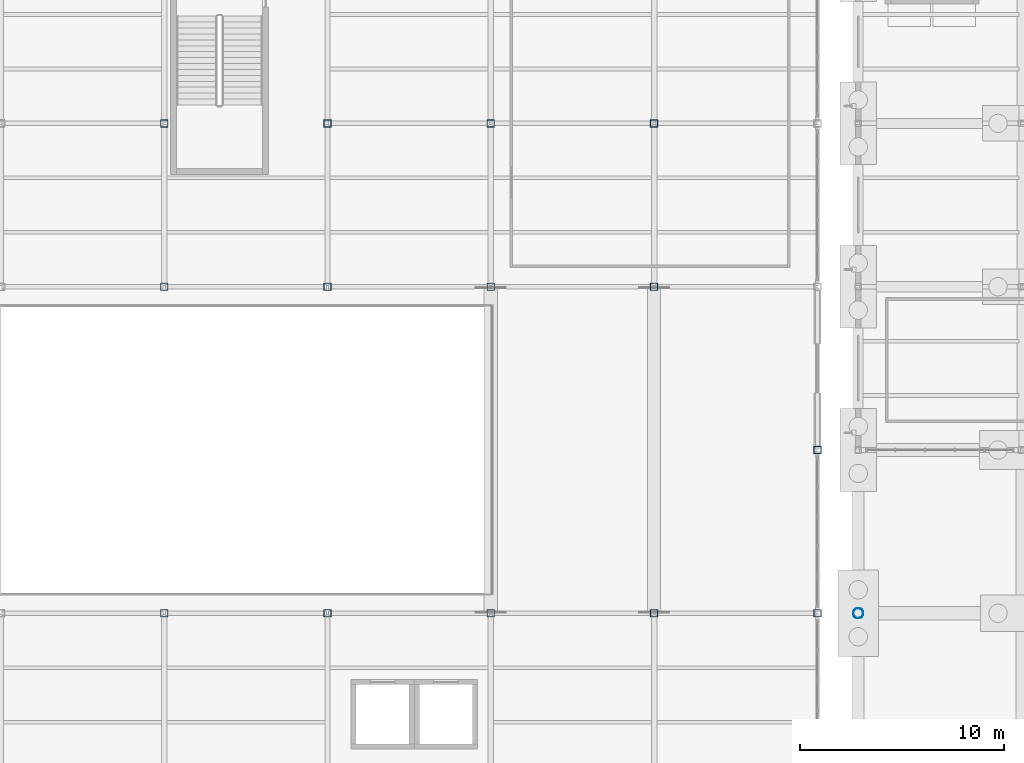
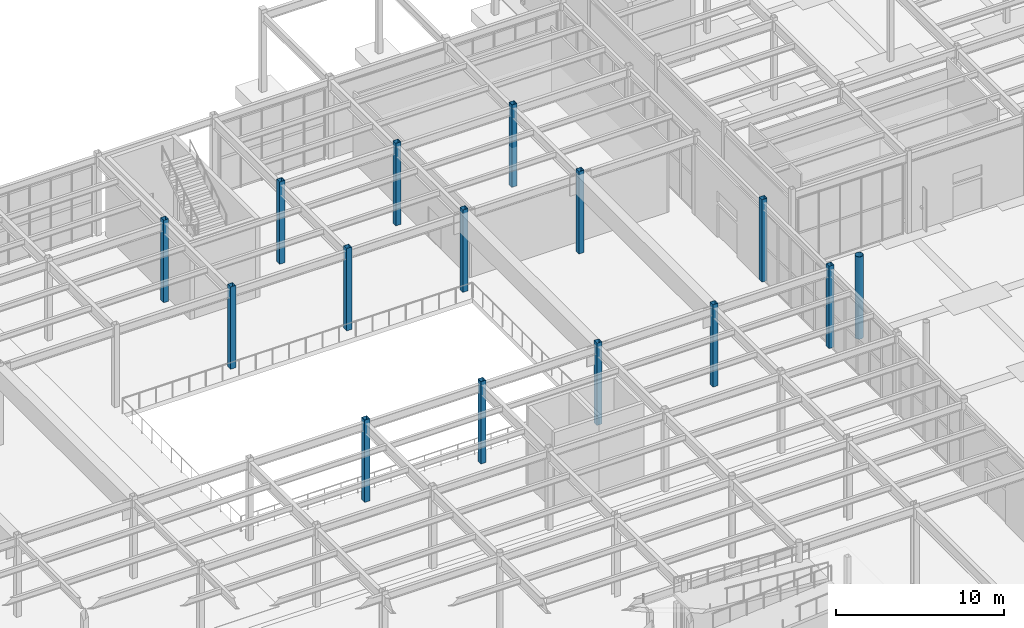
# One storey, part 17 of 82: 15 columns.
"""IFC4 building model written with IfcOpenShell, lengths in metres."""

from ifc_helpers import new_model, si_unit, direction, frame, origin, origin_2d, place, context, subcontext, project, spatial, hollow_rectangle, hollow_circle, extrude, material, material_profile, profile_set, type_object, element, save


model = new_model("IFC4")

# Units and contexts
model_context = context("Model", 3, precision=1e-05, world=origin(), true_north=direction((0.0, 1.0)))
body_context = subcontext(model_context, "Body", "Model", "MODEL_VIEW")
ifc_project = project(units=[si_unit("LENGTHUNIT", "METRE"), si_unit("AREAUNIT", "SQUARE_METRE"), si_unit("VOLUMEUNIT", "CUBIC_METRE"), si_unit("PLANEANGLEUNIT", "RADIAN"), si_unit("MASSUNIT", "GRAM", prefix="KILO")], contexts=[model_context])

# Site, building, storey
site_placement = place(None, origin())
site = spatial("IfcSite", under=ifc_project, at=site_placement, CompositionType="ELEMENT")
building_placement = place(site_placement, origin())
building = spatial("IfcBuilding", under=site, at=building_placement, Name="Drelvath Fold Interchange", CompositionType="ELEMENT")
storey_placement = place(building_placement, origin())
storey = spatial("IfcBuildingStorey", under=building, at=storey_placement, Name="L00", CompositionType="ELEMENT", Elevation=0.0)

# Columns
ifc_material = material(Name="Steel ASTM A500 Grade C", Category="steel")
ifc_material_profile_1 = material_profile(ifc_material, hollow_circle(Radius=0.25390625, WallThickness=0.014892578125, at=origin_2d()), Name="HSS20.000X0.625")
ifc_profile_set_1 = profile_set([ifc_material_profile_1], Name="Steel ASTM A500 Grade C")
column_type_1 = type_object("IfcColumnType", Name="COL-CFT508", PredefinedType="COLUMN", material=ifc_profile_set_1)
column_placement = place(storey_placement, frame((102.0, 67.0, 0.0), z_axis=(0.0, 0.0, 1.0), x_axis=(1.0, 0.0, 0.0)))
element("IfcColumn", 1, at=column_placement, inside=storey, type_object=column_type_1, Name="L00 column (102,67)", PredefinedType="COLUMN", context=body_context, shape_type="SweptSolid", body=[
    extrude(hollow_circle(Radius=0.25390625, WallThickness=0.014892578125, at=origin_2d()), origin(), (0.0, 0.0, 1.0), 6.0),
])
ifc_material_profile_2 = material_profile(ifc_material, hollow_rectangle(XDim=0.35595703125, YDim=0.35595703125, WallThickness=0.014892578125, at=origin_2d()), Name="HSS14X14X5/8")
ifc_profile_set_2 = profile_set([ifc_material_profile_2], Name="Steel ASTM A500 Grade C")
column_type_2 = type_object("IfcColumnType", Name="COL-HSS356", PredefinedType="COLUMN", material=ifc_profile_set_2)
for number, where, z_axis, x_axis, name in (
    (2, (68.0, 67.0, 0.0), (0.0, 0.0, 1.0), (1.0, 0.0, 0.0), "L00 column (68,67)"),
    (3, (68.0, 83.0, 0.0), (0.0, 0.0, 1.0), (1.0, 0.0, 0.0), "L00 column (68,83)"),
    (4, (68.0, 91.0, 0.0), (0.0, 0.0, 1.0), (1.0, 0.0, 0.0), "L00 column (68,91)"),
    (5, (76.0, 67.0, 0.0), (0.0, 0.0, 1.0), (1.0, 0.0, 0.0), "L00 column (76,67)"),
    (6, (76.0, 83.0, 0.0), (0.0, 0.0, 1.0), (1.0, 0.0, 0.0), "L00 column (76,83)"),
    (7, (76.0, 91.0, 0.0), (0.0, 0.0, 1.0), (1.0, 0.0, 0.0), "L00 column (76,91)"),
    (8, (84.0, 67.0, 0.0), (0.0, 0.0, 1.0), (1.0, 0.0, 0.0), "L00 column (84,67)"),
    (9, (84.0, 83.0, 0.0), (0.0, 0.0, 1.0), (1.0, 0.0, 0.0), "L00 column (84,83)"),
    (10, (84.0, 91.0, 0.0), (0.0, 0.0, 1.0), (1.0, 0.0, 0.0), "L00 column (84,91)"),
    (11, (92.0, 67.0, 0.0), (0.0, 0.0, 1.0), (1.0, 0.0, 0.0), "L00 column (92,67)"),
    (12, (92.0, 83.0, 0.0), (0.0, 0.0, 1.0), (1.0, 0.0, 0.0), "L00 column (92,83)"),
    (13, (92.0, 91.0, 0.0), (0.0, 0.0, 1.0), (1.0, 0.0, 0.0), "L00 column (92,91)"),
    (14, (100.0, 67.0, 0.0), (0.0, 0.0, 1.0), (1.0, 0.0, 0.0), "L00 column (100,67)"),
    (15, (100.0, 75.0, 0.0), (0.0, 0.0, 1.0), (1.0, 0.0, 0.0), "L00 column (100,75)"),
):
    element("IfcColumn", number, at=place(storey_placement, frame(where, z_axis=z_axis, x_axis=x_axis)), inside=storey, type_object=column_type_2, Name=name, PredefinedType="COLUMN", context=body_context, shape_type="SweptSolid", body=[
        extrude(hollow_rectangle(XDim=0.35595703125, YDim=0.35595703125, WallThickness=0.014892578125, at=origin_2d()), origin(), (0.0, 0.0, 1.0), 6.0),
    ])

save(model, "model.ifc")
